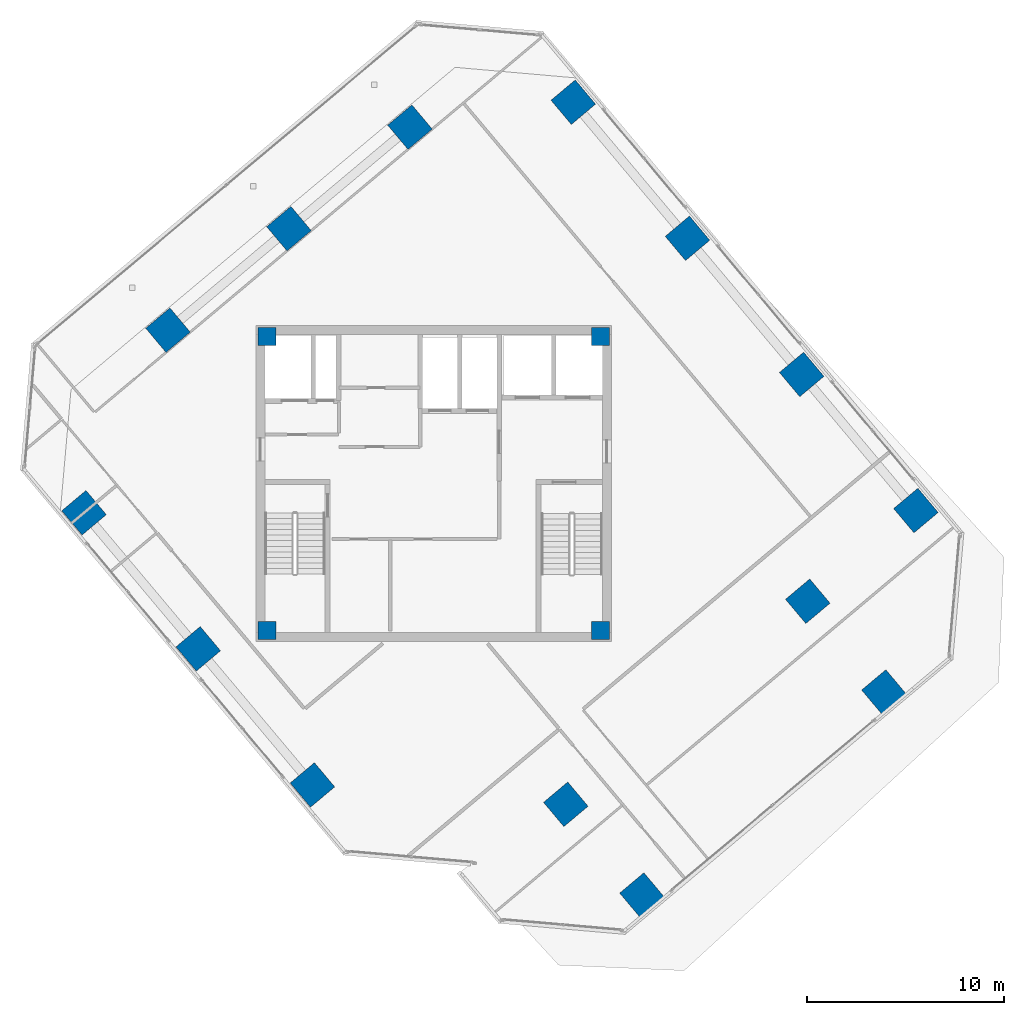
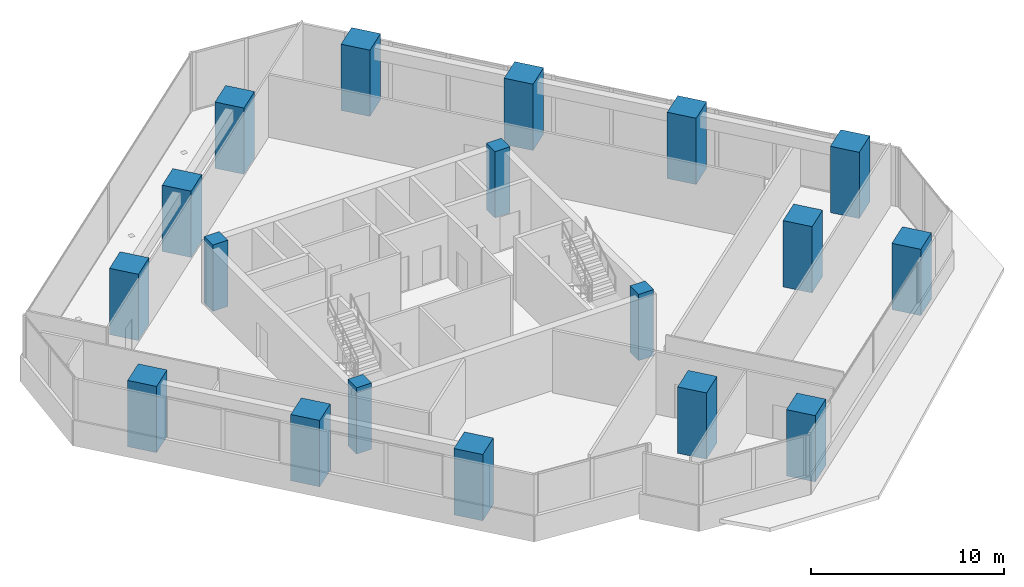
# One storey, part 1 of 17: 18 columns.
"""IFC4 building model written with IfcOpenShell, lengths in metres."""

from ifc_helpers import new_model, si_unit, direction, frame, origin, origin_2d, place, context, subcontext, project, spatial, rectangle, extrude, source, transform, mapped, material, material_profile, profile_set, type_object, element, save


model = new_model("IFC4")

# Units and contexts
model_context = context("Model", 3, precision=1e-05, world=origin(), true_north=direction((0.0, 1.0)))
body_context = subcontext(model_context, "Body", "Model", "MODEL_VIEW")
ifc_project = project(units=[si_unit("LENGTHUNIT", "METRE"), si_unit("AREAUNIT", "SQUARE_METRE"), si_unit("VOLUMEUNIT", "CUBIC_METRE"), si_unit("PLANEANGLEUNIT", "RADIAN"), si_unit("MASSUNIT", "GRAM", prefix="KILO")], contexts=[model_context])

# Site, building, storey
site_placement = place(None, origin())
site = spatial("IfcSite", under=ifc_project, at=site_placement, CompositionType="ELEMENT")
building_placement = place(site_placement, origin())
building = spatial("IfcBuilding", under=site, at=building_placement, Name="Torre Montelarca", CompositionType="ELEMENT")
storey_placement = place(building_placement, frame((0.0, 0.0, 266.800048828125)))
storey = spatial("IfcBuildingStorey", under=building, at=storey_placement, Name="L60", CompositionType="ELEMENT", Elevation=266.800048828125)

# Columns
ifc_material_1 = material(Name="Concrete C55/67", Category="concrete")
ifc_material_profile_1 = material_profile(ifc_material_1, rectangle(XDim=0.89990234375, YDim=0.89990234375, at=origin_2d()), Name="RC900X900", Category="concrete")
ifc_profile_set_1 = profile_set([ifc_material_profile_1], Name="Concrete C55/67")
column_type_1 = type_object("IfcColumnType", Name="COL-RC900", PredefinedType="COLUMN", material=ifc_profile_set_1)
shared_shape_1 = source(origin(), body_context, "Body", "SweptSolid", [
    extrude(rectangle(XDim=0.89990234375, YDim=0.89990234375, at=origin_2d()), origin(), (0.0, 0.0, 1.0), 4.198486328125),
])
for number, where, z_axis, x_axis, name in (
    (1, (9.550048828125, 24.550048828125, 0.000732421875), (0.0, 0.0, 1.0), (1.0, 0.0, 0.0), "L60 Plumb Core Corner Column 2D"),
    (2, (26.449951171875, 24.550048828125, 0.000732421875), (0.0, 0.0, 1.0), (1.0, 0.0, 0.0), "L60 Plumb Core Corner Column 4D"),
    (3, (9.550048828125, 39.449951171875, 0.000732421875), (0.0, 0.0, 1.0), (1.0, 0.0, 0.0), "L60 Plumb Core Corner Column 2F"),
    (4, (26.449951171875, 39.449951171875, 0.000732421875), (0.0, 0.0, 1.0), (1.0, 0.0, 0.0), "L60 Plumb Core Corner Column 4F"),
):
    element("IfcColumn", number, at=place(storey_placement, frame(where, z_axis=z_axis, x_axis=x_axis)), inside=storey, type_object=column_type_1, Name=name, PredefinedType="COLUMN", context=body_context, shape_type="MappedRepresentation", body=[
        mapped(shared_shape_1, transform((0.0, 0.0, 0.0), scale=1.0)),
    ])
ifc_material_2 = material(Name="Concrete C70/85", Category="concrete")
ifc_material_profile_2 = material_profile(ifc_material_2, rectangle(XDim=1.60009765625, YDim=1.60009765625, at=origin_2d()), Name="RC1600X1600", Category="concrete")
ifc_profile_set_2 = profile_set([ifc_material_profile_2], Name="Concrete C70/85")
column_type_2 = type_object("IfcColumnType", Name="COL-RC1600-EXT", PredefinedType="COLUMN", material=ifc_profile_set_2)
shared_shape_2 = source(origin(), body_context, "Body", "SweptSolid", [
    extrude(rectangle(XDim=1.60009765625, YDim=1.60009765625, at=origin_2d()), origin(), (0.0, 0.0, 1.0), 4.198486328125),
])
for number, where, z_axis, x_axis, name in (
    (5, (0.289306640625, 30.51953125, 0.000732421875), (0.0, 0.0, 1.0), (-0.642787609687, 0.766044443119, 0.0), "L60 Perimeter Mega Column 2/CS"),
    (6, (25.07080078125, 51.313720703125, 0.000732421875), (0.0, 0.0, 1.0), (-0.642787609687, 0.766044443119, 0.0), "L60 Perimeter Mega Column 2/GN"),
    (7, (6.07421875, 23.625244140625, 0.000732421875), (0.0, 0.0, 1.0), (-0.642787609687, 0.766044443119, 0.0), "L60 Perimeter Mega Column 3/CS"),
    (8, (30.855712890625, 44.41943359375, 0.000732421875), (0.0, 0.0, 1.0), (-0.642787609687, 0.766044443119, 0.0), "L60 Perimeter Mega Column 3/GN"),
    (9, (11.859375, 16.730712890625, 0.000732421875), (0.0, 0.0, 1.0), (-0.642787609687, 0.766044443119, 0.0), "L60 Perimeter Mega Column 4/CS"),
    (10, (36.640869140625, 37.52490234375, 0.000732421875), (0.0, 0.0, 1.0), (-0.642787609687, 0.766044443119, 0.0), "L60 Perimeter Mega Column 4/GN"),
    (11, (42.426025390625, 30.630615234375, 0.000732421875), (0.0, 0.0, 1.0), (-0.642787609687, 0.766044443119, 0.0), "L60 Perimeter Mega Column 5/GN"),
    (12, (28.548828125, 11.15380859375, 0.000732421875), (0.0, 0.0, 1.0), (-0.642787609687, 0.766044443119, 0.0), "L60 Perimeter Mega Column 6/D"),
    (13, (40.805419921875, 21.4384765625, 0.000732421875), (0.0, 0.0, 1.0), (-0.642787609687, 0.766044443119, 0.0), "L60 Perimeter Mega Column 6/F"),
    (14, (4.540771484375, 39.765380859375, 0.000732421875), (0.0, 0.0, 1.0), (-0.642787609687, 0.766044443119, 0.0), "L60 Perimeter Mega Column 1W/D"),
    (15, (10.6689453125, 44.90771484375, 0.000732421875), (0.0, 0.0, 1.0), (-0.642787609687, 0.766044443119, 0.0), "L60 Perimeter Mega Column 1W/E"),
    (16, (16.79736328125, 50.050048828125, 0.000732421875), (0.0, 0.0, 1.0), (-0.642787609687, 0.766044443119, 0.0), "L60 Perimeter Mega Column 1W/F"),
):
    element("IfcColumn", number, at=place(storey_placement, frame(where, z_axis=z_axis, x_axis=x_axis)), inside=storey, type_object=column_type_2, Name=name, PredefinedType="COLUMN", context=body_context, shape_type="MappedRepresentation", body=[
        mapped(shared_shape_2, transform((0.0, 0.0, 0.0), scale=1.0)),
    ])
ifc_material_profile_3 = material_profile(ifc_material_2, rectangle(XDim=1.60009765625, YDim=1.60009765625, at=origin_2d()), Name="RC1600X1600", Category="concrete")
ifc_profile_set_3 = profile_set([ifc_material_profile_3], Name="Concrete C70/85")
column_type_3 = type_object("IfcColumnType", Name="COL-RC1600", PredefinedType="COLUMN", material=ifc_profile_set_3)
shared_shape_3 = source(origin(), body_context, "Body", "SweptSolid", [
    extrude(rectangle(XDim=1.60009765625, YDim=1.60009765625, at=origin_2d()), origin(), (0.0, 0.0, 1.0), 4.198486328125),
])
for number, where, z_axis, x_axis, name in (
    (17, (24.692138671875, 15.75, 0.000732421875), (0.0, 0.0, 1.0), (-0.642787609687, 0.766044443119, 0.0), "L60 Column 5/D"),
    (18, (36.94873046875, 26.03466796875, 0.000732421875), (0.0, 0.0, 1.0), (-0.642787609687, 0.766044443119, 0.0), "L60 Column 5/F"),
):
    element("IfcColumn", number, at=place(storey_placement, frame(where, z_axis=z_axis, x_axis=x_axis)), inside=storey, type_object=column_type_3, Name=name, PredefinedType="COLUMN", context=body_context, shape_type="MappedRepresentation", body=[
        mapped(shared_shape_3, transform((0.0, 0.0, 0.0), scale=1.0)),
    ])

save(model, "model.ifc")
